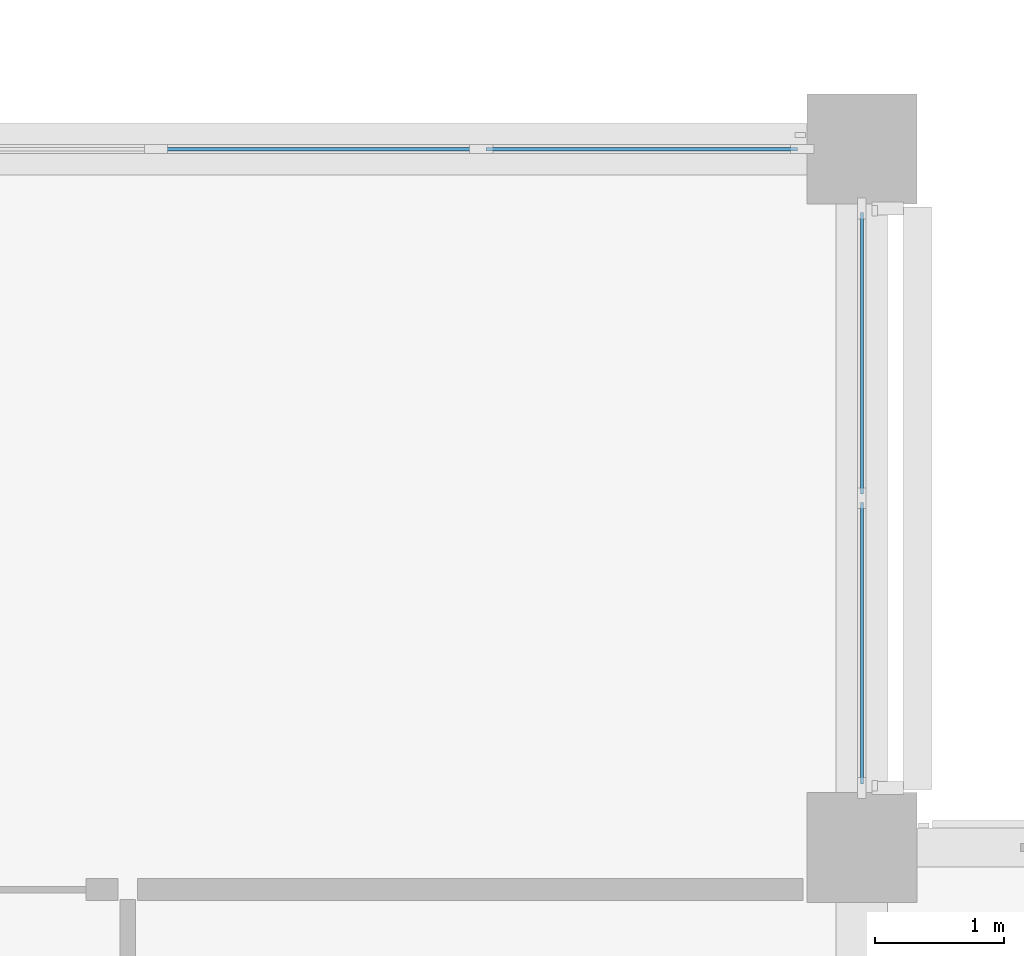
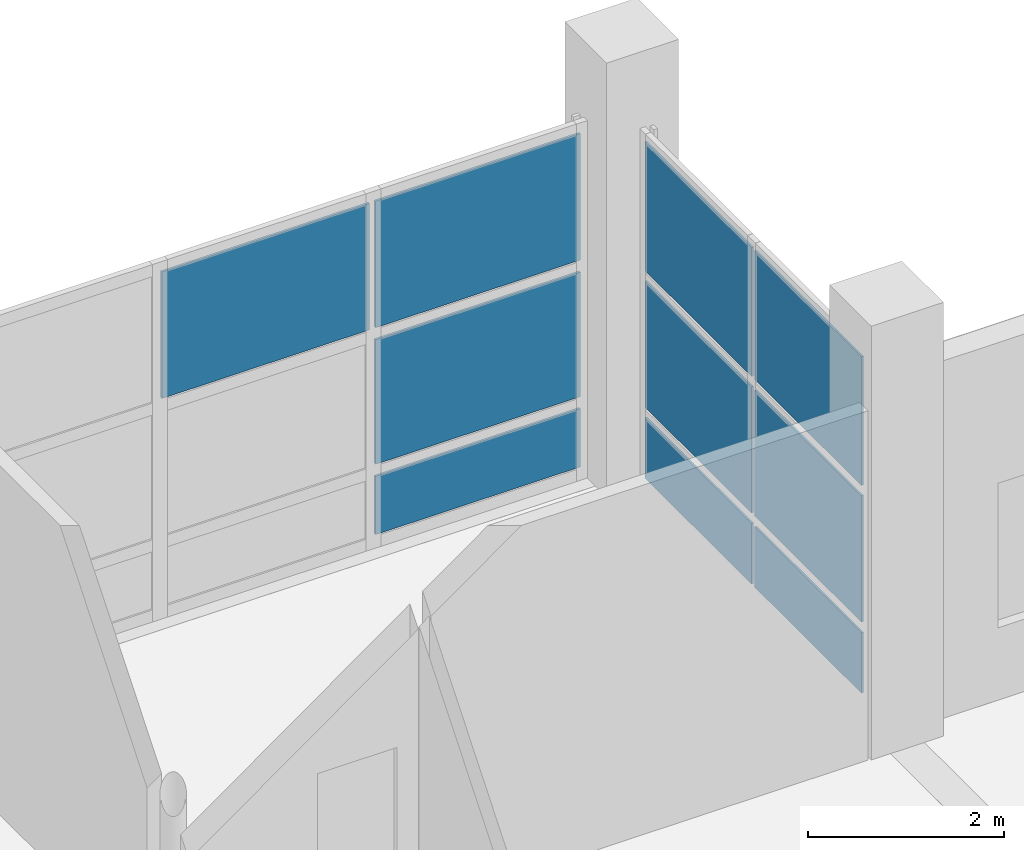
# One storey, part 52 of 140: 10 plates, 2 elements without a shape of their own.
"""IFC4 building model written with IfcOpenShell, lengths in metres."""

from ifc_helpers import new_model, si_unit, direction, frame, origin, origin_2d, place, context, subcontext, project, spatial, rectangle, extrude, material, layer, layer_set, type_object, element, aggregate, save


model = new_model("IFC4")

# Units and contexts
model_context = context("Model", 3, precision=1e-05, world=origin(), true_north=direction((0.0, 1.0)))
body_context = subcontext(model_context, "Body", "Model", "MODEL_VIEW")
ifc_project = project(units=[si_unit("LENGTHUNIT", "METRE"), si_unit("AREAUNIT", "SQUARE_METRE"), si_unit("VOLUMEUNIT", "CUBIC_METRE"), si_unit("PLANEANGLEUNIT", "RADIAN"), si_unit("MASSUNIT", "GRAM", prefix="KILO")], contexts=[model_context])

# Site, building, storey
site_placement = place(None, origin())
site = spatial("IfcSite", under=ifc_project, at=site_placement, CompositionType="ELEMENT")
building_placement = place(site_placement, origin())
building = spatial("IfcBuilding", under=site, at=building_placement, Name="Telukmera Botanical Conservatory", CompositionType="ELEMENT")
storey_placement = place(building_placement, origin())
storey = spatial("IfcBuildingStorey", under=building, at=storey_placement, Name="L00", CompositionType="ELEMENT", Elevation=0.0)

# Curtain wall, plates
ifc_material_1 = material(Name="Anodised aluminium 6063-T6", Category="aluminium")
ifc_layer_1 = layer(ifc_material_1, 0.179931640625)
ifc_layer_set_1 = layer_set([ifc_layer_1], Name="Anodised aluminium 6063-T6")
curtain_wall_type_1 = type_object("IfcCurtainWallType", Name="Conservatory North Gable Unitised Curtain Wall", PredefinedType="USERDEFINED", material=ifc_layer_set_1)
curtain_wall_1_placement = place(storey_placement, origin())
curtain_wall_1 = element("IfcCurtainWall", 1, at=curtain_wall_1_placement, inside=storey, type_object=curtain_wall_type_1, Name="Unitised Curtain Wall CW03 V1:L00:E4", ObjectType="UNITISED CURTAIN WALL", PredefinedType="USERDEFINED")
ifc_material_2 = material(Name="Spectrally selective low-E double glazing", Category="glass")
ifc_layer_2 = layer(ifc_material_2, 0.02392578125)
ifc_layer_set_2 = layer_set([ifc_layer_2], Name="Spectrally selective low-E double glazing")
plate_type_1 = type_object("IfcPlateType", Name="High Light Transmission Conservatory Glazing Panel 24", PredefinedType="CURTAIN_PANEL", material=ifc_layer_set_2)
plate_1_placement = place(storey_placement, frame((168.0, 44.379638671875, 0.130126953125), z_axis=(0.0, 0.0, 1.0), x_axis=(0.0, 1.0, 0.0)))
plate_1 = element("IfcPlate", 2, at=plate_1_placement, type_object=plate_type_1, Name="CW03 panel 1.1", PredefinedType="CURTAIN_PANEL", context=body_context, shape_type="SweptSolid", body=[
    extrude(rectangle(XDim=2.175537109375, YDim=0.02392578125, at=origin_2d()), origin(), (0.0, 0.0, 1.0), 0.7548828125),
])
plate_2_placement = place(storey_placement, frame((168.0, 44.379638671875, 1.01513671875), z_axis=(0.0, 0.0, 1.0), x_axis=(0.0, 1.0, 0.0)))
plate_2 = element("IfcPlate", 3, at=plate_2_placement, type_object=plate_type_1, Name="CW03 panel 1.2", PredefinedType="CURTAIN_PANEL", context=body_context, shape_type="SweptSolid", body=[
    extrude(rectangle(XDim=2.175537109375, YDim=0.02392578125, at=origin_2d()), origin(), (0.0, 0.0, 1.0), 1.570068359375),
])
plate_3_placement = place(storey_placement, frame((168.0, 44.379638671875, 2.715087890625), z_axis=(0.0, 0.0, 1.0), x_axis=(0.0, 1.0, 0.0)))
plate_3 = element("IfcPlate", 4, at=plate_3_placement, type_object=plate_type_1, Name="CW03 panel 1.3", PredefinedType="CURTAIN_PANEL", context=body_context, shape_type="SweptSolid", body=[
    extrude(rectangle(XDim=2.175537109375, YDim=0.02392578125, at=origin_2d()), origin(), (0.0, 0.0, 1.0), 1.60498046875),
])
plate_4_placement = place(storey_placement, frame((168.0, 46.620361328125, 0.130126953125), z_axis=(0.0, 0.0, 1.0), x_axis=(0.0, 1.0, 0.0)))
plate_4 = element("IfcPlate", 5, at=plate_4_placement, type_object=plate_type_1, Name="CW03 panel 2.1", PredefinedType="CURTAIN_PANEL", context=body_context, shape_type="SweptSolid", body=[
    extrude(rectangle(XDim=2.175537109375, YDim=0.02392578125, at=origin_2d()), origin(), (0.0, 0.0, 1.0), 0.7548828125),
])
plate_5_placement = place(storey_placement, frame((168.0, 46.620361328125, 1.01513671875), z_axis=(0.0, 0.0, 1.0), x_axis=(0.0, 1.0, 0.0)))
plate_5 = element("IfcPlate", 6, at=plate_5_placement, type_object=plate_type_1, Name="CW03 panel 2.2", PredefinedType="CURTAIN_PANEL", context=body_context, shape_type="SweptSolid", body=[
    extrude(rectangle(XDim=2.175537109375, YDim=0.02392578125, at=origin_2d()), origin(), (0.0, 0.0, 1.0), 1.570068359375),
])
plate_6_placement = place(storey_placement, frame((168.0, 46.620361328125, 2.715087890625), z_axis=(0.0, 0.0, 1.0), x_axis=(0.0, 1.0, 0.0)))
plate_6 = element("IfcPlate", 7, at=plate_6_placement, type_object=plate_type_1, Name="CW03 panel 2.3", PredefinedType="CURTAIN_PANEL", context=body_context, shape_type="SweptSolid", body=[
    extrude(rectangle(XDim=2.175537109375, YDim=0.02392578125, at=origin_2d()), origin(), (0.0, 0.0, 1.0), 1.60498046875),
])
aggregate(curtain_wall_1, [plate_1, plate_2, plate_3, plate_4, plate_5, plate_6])

ifc_layer_3 = layer(ifc_material_1, 0.179931640625)
ifc_layer_set_3 = layer_set([ifc_layer_3], Name="Anodised aluminium 6063-T6")
curtain_wall_type_2 = type_object("IfcCurtainWallType", Name="Conservatory Garden Unitised Curtain Wall 2800 Mod", PredefinedType="USERDEFINED", material=ifc_layer_set_3)
curtain_wall_2_placement = place(storey_placement, origin())
curtain_wall_2 = element("IfcCurtainWall", 8, at=curtain_wall_2_placement, inside=storey, type_object=curtain_wall_type_2, Name="Unitised Curtain Wall CW02 V1:L00:N6", ObjectType="UNITISED CURTAIN WALL", PredefinedType="USERDEFINED")
ifc_layer_4 = layer(ifc_material_2, 0.028076171875)
ifc_layer_set_4 = layer_set([ifc_layer_4], Name="Spectrally selective low-E double glazing")
plate_type_2 = type_object("IfcPlateType", Name="Spectrally Selective Vision Double Glazing Panel 28", PredefinedType="CURTAIN_PANEL", material=ifc_layer_set_4)
plate_7_placement = place(storey_placement, frame((163.800048828125, 48.199951171875, 2.72509765625), z_axis=(0.0, 0.0, 1.0), x_axis=(1.0, 0.0, 0.0)))
plate_7 = element("IfcPlate", 9, at=plate_7_placement, type_object=plate_type_2, Name="CW02 panel 2.3", PredefinedType="CURTAIN_PANEL", context=body_context, shape_type="SweptSolid", body=[
    extrude(rectangle(XDim=2.4453125, YDim=0.028076171875, at=origin_2d()), origin(), (0.0, 0.0, 1.0), 1.574951171875),
])
plate_8_placement = place(storey_placement, frame((166.2978515625, 48.199951171875, 0.14990234375), z_axis=(0.0, 0.0, 1.0), x_axis=(1.0, 0.0, 0.0)))
plate_8 = element("IfcPlate", 10, at=plate_8_placement, type_object=plate_type_2, Name="CW02 panel 3.1", PredefinedType="CURTAIN_PANEL", context=body_context, shape_type="SweptSolid", body=[
    extrude(rectangle(XDim=2.410400390625, YDim=0.028076171875, at=origin_2d()), origin(), (0.0, 0.0, 1.0), 0.72509765625),
])
plate_9_placement = place(storey_placement, frame((166.2978515625, 48.199951171875, 1.02490234375), z_axis=(0.0, 0.0, 1.0), x_axis=(1.0, 0.0, 0.0)))
plate_9 = element("IfcPlate", 11, at=plate_9_placement, type_object=plate_type_2, Name="CW02 panel 3.2", PredefinedType="CURTAIN_PANEL", context=body_context, shape_type="SweptSolid", body=[
    extrude(rectangle(XDim=2.410400390625, YDim=0.028076171875, at=origin_2d()), origin(), (0.0, 0.0, 1.0), 1.550048828125),
])
plate_10_placement = place(storey_placement, frame((166.2978515625, 48.199951171875, 2.72509765625), z_axis=(0.0, 0.0, 1.0), x_axis=(1.0, 0.0, 0.0)))
plate_10 = element("IfcPlate", 12, at=plate_10_placement, type_object=plate_type_2, Name="CW02 panel 3.3", PredefinedType="CURTAIN_PANEL", context=body_context, shape_type="SweptSolid", body=[
    extrude(rectangle(XDim=2.410400390625, YDim=0.028076171875, at=origin_2d()), origin(), (0.0, 0.0, 1.0), 1.574951171875),
])
aggregate(curtain_wall_2, [plate_7, plate_8, plate_9, plate_10])

save(model, "model.ifc")
